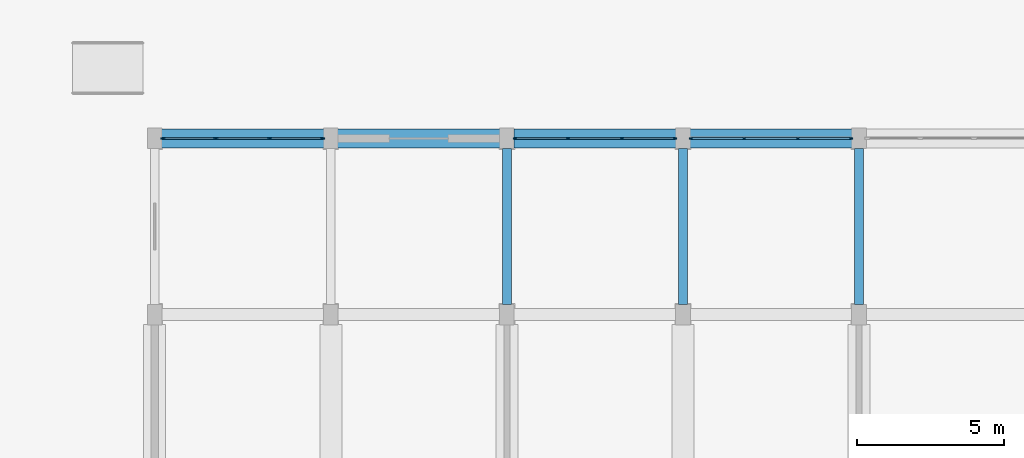
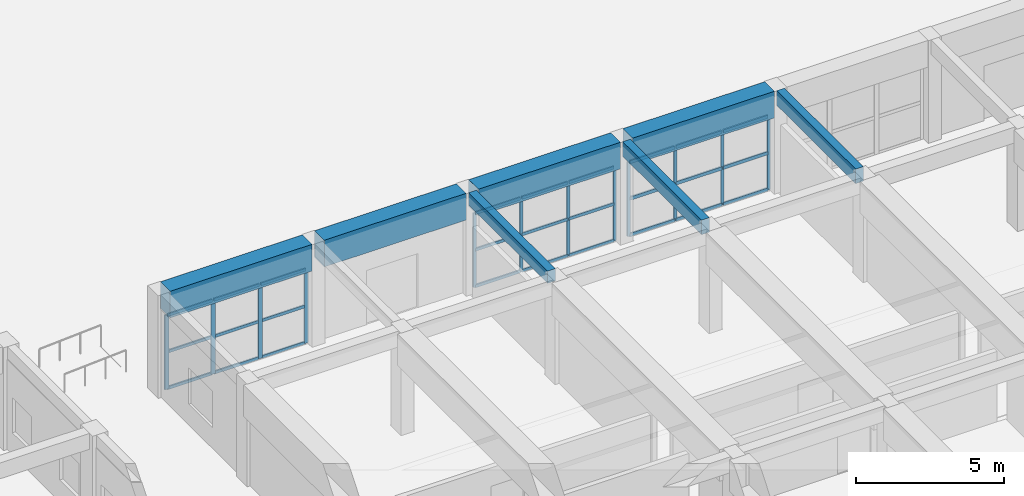
# One storey, part 34 of 76: 39 members, 7 beams, 3 elements without a shape of their own.
"""IFC4 building model written with IfcOpenShell, lengths in metres."""

import ifcopenshell
import ifcopenshell.guid

model = None  # the IFC model being written
_history = None  # IfcOwnerHistory: only IFC2X3 demands one
_inside = {}  # id of a spatial element -> (the spatial element, [elements in it])
_under = {}  # id of a project, library or spatial element -> (it, [spatial elements below it])
_declared = {}  # id of a project -> (the project, [libraries it declares])
_typed = {}  # id of a type object -> (the type object, [elements of that type])
_made_of = {}  # id of a material, layer set ... -> (it, [elements and type objects made of it])


def new_model(schema):
    """Start an empty IFC model of exactly this schema.

    Asked for "IFC4X3", IfcOpenShell would pick the latest addendum, in which some entities
    have other attributes; the version numbers below select the first issue.
    IFC2X3 requires an IfcOwnerHistory on every rooted entity: one is made here for all.
    """
    global model, _history
    if schema == "IFC4X3":
        model = ifcopenshell.file(schema_version=(4, 3, 0, 0))
    else:
        model = ifcopenshell.file(schema=schema)
    _inside.clear()
    _under.clear()
    _declared.clear()
    _typed.clear()
    _made_of.clear()
    _history = None
    if model.schema == "IFC2X3":
        org = make("IfcOrganization", Name="unknown")
        user = make(
            "IfcPersonAndOrganization",
            ThePerson=make("IfcPerson", FamilyName="unknown"),
            TheOrganization=org,
        )
        app = make(
            "IfcApplication",
            ApplicationDeveloper=org,
            Version="unknown",
            ApplicationFullName="unknown",
            ApplicationIdentifier="unknown",
        )
        _history = make(
            "IfcOwnerHistory",
            OwningUser=user,
            OwningApplication=app,
            ChangeAction="ADDED",
            CreationDate=0,
        )
    return model


def make(cls, **values):
    """One entity of the class cls with the attributes given. An attribute that is None is left unset."""
    return model.create_entity(
        cls, **{name: value for name, value in values.items() if value is not None}
    )


def rooted(cls, **values):
    """An entity with a GlobalId (a new one), such as an element, a storey or a relation."""
    return make(cls, GlobalId=ifcopenshell.guid.new(), OwnerHistory=_history, **values)


def si_unit(unit_type, name, prefix=None):
    """IfcSIUnit, for example si_unit("LENGTHUNIT", "METRE", prefix="MILLI")."""
    return make("IfcSIUnit", UnitType=unit_type, Prefix=prefix, Name=name)


def assignment(units):
    """IfcUnitAssignment: the units of a project."""
    return None if units is None else make("IfcUnitAssignment", Units=units)


def point(xyz):
    """IfcCartesianPoint."""
    return None if xyz is None else make("IfcCartesianPoint", Coordinates=xyz)


def direction(xyz):
    """IfcDirection."""
    return None if xyz is None else make("IfcDirection", DirectionRatios=xyz)


def frame(location, z_axis=None, x_axis=None):
    """IfcAxis2Placement3D, a coordinate frame: its origin and axes. An axis left out is left unset."""
    return make(
        "IfcAxis2Placement3D",
        Location=point(location),
        Axis=direction(z_axis),
        RefDirection=direction(x_axis),
    )


def frame_2d(location, x_axis=None):
    """IfcAxis2Placement2D, a coordinate frame in the plane: its origin and x axis."""
    return make(
        "IfcAxis2Placement2D", Location=point(location), RefDirection=direction(x_axis)
    )


def origin():
    """The frame at (0, 0, 0) with its axes left unset."""
    return frame((0.0, 0.0, 0.0))


def origin_2d():
    """The frame at (0, 0) in the plane with its x axis left unset."""
    return frame_2d((0.0, 0.0))


def place(relative_to, where):
    """IfcLocalPlacement: puts the frame where relative to a parent placement (None: the world)."""
    return make(
        "IfcLocalPlacement", PlacementRelTo=relative_to, RelativePlacement=where
    )


def context(
    kind, dimensions, precision=None, world=None, true_north=None, identifier=None
):
    """IfcGeometricRepresentationContext, for example the 3D "Model" context."""
    return make(
        "IfcGeometricRepresentationContext",
        ContextIdentifier=identifier,
        ContextType=kind,
        CoordinateSpaceDimension=dimensions,
        Precision=precision,
        WorldCoordinateSystem=world,
        TrueNorth=true_north,
    )


def subcontext(parent, identifier, kind, view, scale=None):
    """IfcGeometricRepresentationSubContext, for example "Body" below "Model"."""
    return make(
        "IfcGeometricRepresentationSubContext",
        ContextIdentifier=identifier,
        ContextType=kind,
        ParentContext=parent,
        TargetScale=scale,
        TargetView=view,
    )


def project(units=None, contexts=None):
    """IfcProject with its units and contexts."""
    return rooted(
        "IfcProject",
        Name="project",
        RepresentationContexts=contexts,
        UnitsInContext=assignment(units),
    )


def spatial(cls, under=None, at=None, **own):
    """A site, building, storey or space (cls), placed at a placement, below another one or the project."""
    s = rooted(cls, ObjectPlacement=at, **own)
    if under is not None:
        _under.setdefault(under.id(), (under, []))[1].append(s)
    return s


def profile(cls, at=None, kind="AREA", **sizes):
    """A parametric profile (cls). Its sizes go by their IFC names, for example OverallWidth=200.0."""
    return make(cls, ProfileType=kind, Position=at, **sizes)


def rectangle(**sizes):
    """IfcRectangleProfileDef."""
    return profile("IfcRectangleProfileDef", **sizes)


def extrude(swept, where, along, depth):
    """IfcExtrudedAreaSolid: the profile swept, set in the frame where, extruded along a direction by depth."""
    return make(
        "IfcExtrudedAreaSolid",
        SweptArea=swept,
        Position=where,
        ExtrudedDirection=direction(along),
        Depth=depth,
    )


def shape(context_of_items, identifier, shape_type, items):
    """IfcShapeRepresentation: the items that make up one representation, for example the "Body"."""
    return make(
        "IfcShapeRepresentation",
        ContextOfItems=context_of_items,
        RepresentationIdentifier=identifier,
        RepresentationType=shape_type,
        Items=items,
    )


def material(Name=None, Category=None):
    """IfcMaterial."""
    return make("IfcMaterial", Name=Name, Category=Category)


def layer(
    of_material, thickness, ventilated=None, Name=None, Category=None, Priority=None
):
    """IfcMaterialLayer: one layer of a wall or slab, of a material (None: an air gap)."""
    return make(
        "IfcMaterialLayer",
        Material=of_material,
        LayerThickness=thickness,
        IsVentilated=ventilated,
        Name=Name,
        Category=Category,
        Priority=Priority,
    )


def layer_set(layers, Name=None):
    """IfcMaterialLayerSet."""
    return make("IfcMaterialLayerSet", MaterialLayers=layers, LayerSetName=Name)


def material_profile(
    of_material, cross_section, Name=None, Category=None, Priority=None
):
    """IfcMaterialProfile: a cross section and its material."""
    return make(
        "IfcMaterialProfile",
        Name=Name,
        Material=of_material,
        Profile=cross_section,
        Priority=Priority,
        Category=Category,
    )


def profile_set(profiles, Name=None, composite=None):
    """IfcMaterialProfileSet."""
    return make(
        "IfcMaterialProfileSet",
        Name=Name,
        MaterialProfiles=profiles,
        CompositeProfile=composite,
    )


def made_of(thing, what):
    """Note that an element or type object is made of a material, layer set ...; save() writes the relation."""
    if what is not None:
        _made_of.setdefault(what.id(), (what, []))[1].append(thing)
    return thing


def type_object(cls, material=None, **own):
    """A type object (cls), such as IfcWallType, which elements share."""
    return made_of(rooted(cls, **own), material)


def element(
    cls,
    number,
    at=None,
    inside=None,
    cuts=None,
    type_object=None,
    material=None,
    context=None,
    identifier="Body",
    shape_type=None,
    held_by="IfcProductDefinitionShape",
    body=None,
    shapes=None,
    **own,
):
    """One element of the class cls, such as IfcWall. Its Tag is "e" and its number.

    at: its placement. inside: the storey or other place that contains it. cuts: it is an
    opening in that element (IfcRelVoidsElement). A single representation is given by context,
    identifier, shape_type and body (its items); several are given by shapes. held_by: the class
    of the entity that holds the representations. save() writes the other relations.
    """
    e = rooted(cls, Tag="e%d" % number, ObjectPlacement=at, **own)
    if body is not None:
        shapes = [shape(context, identifier, shape_type, body)]
    if shapes is not None:
        e.Representation = make(held_by, Representations=shapes)
    if inside is not None:
        _inside.setdefault(inside.id(), (inside, []))[1].append(e)
    if cuts is not None:
        rooted(
            "IfcRelVoidsElement", RelatingBuildingElement=cuts, RelatedOpeningElement=e
        )
    if type_object is not None:
        _typed.setdefault(type_object.id(), (type_object, []))[1].append(e)
    return made_of(e, material)


def aggregate(whole, parts):
    """IfcRelAggregates: a whole, such as a stair, and the parts it consists of."""
    return rooted("IfcRelAggregates", RelatingObject=whole, RelatedObjects=parts)


def save(model, path):
    """Write the relations noted so far, then the file.

    IfcRelAggregates (storeys below a building ...), IfcRelContainedInSpatialStructure (elements
    in a storey), IfcRelDefinesByType, IfcRelAssociatesMaterial and IfcRelDeclares: one each for
    every whole, place, type object, material and project.
    """
    for whole, parts in _under.values():
        aggregate(whole, parts)
    for where, things in _inside.values():
        rooted(
            "IfcRelContainedInSpatialStructure",
            RelatedElements=things,
            RelatingStructure=where,
        )
    for kind, things in _typed.values():
        rooted("IfcRelDefinesByType", RelatedObjects=things, RelatingType=kind)
    for what, things in _made_of.values():
        rooted("IfcRelAssociatesMaterial", RelatedObjects=things, RelatingMaterial=what)
    for by, libraries in _declared.values():
        rooted("IfcRelDeclares", RelatingContext=by, RelatedDefinitions=libraries)
    model.write(path)


model = new_model("IFC4")

# Units and contexts
model_context = context("Model", 3, precision=1e-05, world=origin(), true_north=direction((0.0, 1.0)))
body_context = subcontext(model_context, "Body", "Model", "MODEL_VIEW")
ifc_project = project(units=[si_unit("LENGTHUNIT", "METRE"), si_unit("AREAUNIT", "SQUARE_METRE"), si_unit("VOLUMEUNIT", "CUBIC_METRE"), si_unit("PLANEANGLEUNIT", "RADIAN"), si_unit("MASSUNIT", "GRAM", prefix="KILO"), si_unit("POWERUNIT", "WATT"), si_unit("THERMODYNAMICTEMPERATUREUNIT", "KELVIN")], contexts=[model_context])

# Site, building, storey
site_placement = place(None, origin())
site = spatial("IfcSite", under=ifc_project, at=site_placement, CompositionType="ELEMENT")
building_placement = place(site_placement, origin())
building = spatial("IfcBuilding", under=site, at=building_placement, Name="Ruvembo Vaulted Housing Court", CompositionType="ELEMENT")
storey_placement = place(building_placement, origin())
storey = spatial("IfcBuildingStorey", under=building, at=storey_placement, Name="L00", CompositionType="ELEMENT", Elevation=0.0)

# Beams
ifc_material_1 = material(Name="Concrete C35/45", Category="concrete")
ifc_material_profile_1 = material_profile(ifc_material_1, rectangle(XDim=0.300048828125, YDim=0.60009765625, at=origin_2d()), Name="RC 300x600")
ifc_profile_set_1 = profile_set([ifc_material_profile_1], Name="Concrete C35/45")
beam_type_1 = type_object("IfcBeamType", Name="BM-RC-300x600", PredefinedType="BEAM", material=ifc_profile_set_1)
for number, where, z_axis, x_axis, name in (
    (1, (162.0, 30.3349609375, 3.929931640625), (0.0, 1.0, 0.0), (-1.0, 0.0, 0.0), "L00 Grid Beam Y #1096"),
    (2, (168.0, 30.3349609375, 3.929931640625), (0.0, 1.0, 0.0), (-1.0, 0.0, 0.0), "L00 Grid Beam Y #1103"),
):
    element("IfcBeam", number, at=place(storey_placement, frame(where, z_axis=z_axis, x_axis=x_axis)), inside=storey, type_object=beam_type_1, Name=name, PredefinedType="BEAM", context=body_context, shape_type="SweptSolid", body=[
        extrude(rectangle(XDim=0.300048828125, YDim=0.60009765625, at=origin_2d()), origin(), (0.0, 0.0, 1.0), 5.330078125),
    ])

# Curtain wall, members
ifc_material_2 = material(Name="Anodised Aluminium and Solar-Control Glass", Category="aluminium")
ifc_layer = layer(ifc_material_2, 0.159912109375, Name="Anodised Aluminium and Solar-Control Glass")
ifc_layer_set = layer_set([ifc_layer], Name="Anodised Aluminium and Solar-Control Glass")
curtain_wall_type = type_object("IfcCurtainWallType", Name="CW-SHOPFRONT-S", PredefinedType="NOTDEFINED", material=ifc_layer_set)
curtain_wall_1_placement = place(storey_placement, origin())
curtain_wall_1 = element("IfcCurtainWall", 3, at=curtain_wall_1_placement, inside=storey, type_object=curtain_wall_type, Name="L00 Curtain Wall CW-L00-0147", PredefinedType="NOTDEFINED")
ifc_material_3 = material(Name="Anodised Aluminium 6063-T6", Category="aluminium")
ifc_material_profile_2 = material_profile(ifc_material_3, rectangle(XDim=0.054931640625, YDim=0.1201171875, at=origin_2d()), Name="ALU 55x120")
ifc_profile_set_2 = profile_set([ifc_material_profile_2], Name="Anodised Aluminium 6063-T6")
member_type_1 = type_object("IfcMemberType", Name="CW-MUL-55x120", PredefinedType="MULLION", material=ifc_profile_set_2)
member_1_placement = place(storey_placement, frame((156.277587890625, 36.0, 0.0), z_axis=(0.0, 0.0, 1.0), x_axis=(0.0, 1.0, 0.0)))
member_1 = element("IfcMember", 4, at=member_1_placement, type_object=member_type_1, Name="CW3 mullion 1", PredefinedType="MULLION", context=body_context, shape_type="SweptSolid", body=[
    extrude(rectangle(XDim=0.054931640625, YDim=0.1201171875, at=origin_2d()), origin(), (0.0, 0.0, 1.0), 3.06201171875),
])
member_2_placement = place(storey_placement, frame((158.083251953125, 36.0, 0.0), z_axis=(0.0, 0.0, 1.0), x_axis=(0.0, 1.0, 0.0)))
member_2 = element("IfcMember", 5, at=member_2_placement, type_object=member_type_1, Name="CW3 mullion 2", PredefinedType="MULLION", context=body_context, shape_type="SweptSolid", body=[
    extrude(rectangle(XDim=0.054931640625, YDim=0.1201171875, at=origin_2d()), origin(), (0.0, 0.0, 1.0), 3.06201171875),
])
member_3_placement = place(storey_placement, frame((159.916748046875, 36.0, 0.0), z_axis=(0.0, 0.0, 1.0), x_axis=(0.0, 1.0, 0.0)))
member_3 = element("IfcMember", 6, at=member_3_placement, type_object=member_type_1, Name="CW3 mullion 3", PredefinedType="MULLION", context=body_context, shape_type="SweptSolid", body=[
    extrude(rectangle(XDim=0.054931640625, YDim=0.1201171875, at=origin_2d()), origin(), (0.0, 0.0, 1.0), 3.06201171875),
])
member_4_placement = place(storey_placement, frame((161.722412109375, 36.0, 0.0), z_axis=(0.0, 0.0, 1.0), x_axis=(0.0, 1.0, 0.0)))
member_4 = element("IfcMember", 7, at=member_4_placement, type_object=member_type_1, Name="CW3 mullion 4", PredefinedType="MULLION", context=body_context, shape_type="SweptSolid", body=[
    extrude(rectangle(XDim=0.054931640625, YDim=0.1201171875, at=origin_2d()), origin(), (0.0, 0.0, 1.0), 3.06201171875),
])

curtain_wall_2_placement = place(storey_placement, origin())
curtain_wall_2 = element("IfcCurtainWall", 8, at=curtain_wall_2_placement, inside=storey, type_object=curtain_wall_type, Name="L00 Curtain Wall CW-L00-0151", PredefinedType="NOTDEFINED")
member_5_placement = place(storey_placement, frame((162.277587890625, 36.0, 0.0), z_axis=(0.0, 0.0, 1.0), x_axis=(0.0, 1.0, 0.0)))
member_5 = element("IfcMember", 9, at=member_5_placement, type_object=member_type_1, Name="CW3 mullion 1", PredefinedType="MULLION", context=body_context, shape_type="SweptSolid", body=[
    extrude(rectangle(XDim=0.054931640625, YDim=0.1201171875, at=origin_2d()), origin(), (0.0, 0.0, 1.0), 3.06201171875),
])
member_6_placement = place(storey_placement, frame((164.083251953125, 36.0, 0.0), z_axis=(0.0, 0.0, 1.0), x_axis=(0.0, 1.0, 0.0)))
member_6 = element("IfcMember", 10, at=member_6_placement, type_object=member_type_1, Name="CW3 mullion 2", PredefinedType="MULLION", context=body_context, shape_type="SweptSolid", body=[
    extrude(rectangle(XDim=0.054931640625, YDim=0.1201171875, at=origin_2d()), origin(), (0.0, 0.0, 1.0), 3.06201171875),
])
member_7_placement = place(storey_placement, frame((165.916748046875, 36.0, 0.0), z_axis=(0.0, 0.0, 1.0), x_axis=(0.0, 1.0, 0.0)))
member_7 = element("IfcMember", 11, at=member_7_placement, type_object=member_type_1, Name="CW3 mullion 3", PredefinedType="MULLION", context=body_context, shape_type="SweptSolid", body=[
    extrude(rectangle(XDim=0.054931640625, YDim=0.1201171875, at=origin_2d()), origin(), (0.0, 0.0, 1.0), 3.06201171875),
])
member_8_placement = place(storey_placement, frame((167.722412109375, 36.0, 0.0), z_axis=(0.0, 0.0, 1.0), x_axis=(0.0, 1.0, 0.0)))
member_8 = element("IfcMember", 12, at=member_8_placement, type_object=member_type_1, Name="CW3 mullion 4", PredefinedType="MULLION", context=body_context, shape_type="SweptSolid", body=[
    extrude(rectangle(XDim=0.054931640625, YDim=0.1201171875, at=origin_2d()), origin(), (0.0, 0.0, 1.0), 3.06201171875),
])

curtain_wall_3_placement = place(storey_placement, origin())
curtain_wall_3 = element("IfcCurtainWall", 13, at=curtain_wall_3_placement, inside=storey, type_object=curtain_wall_type, Name="L00 Curtain Wall CW-L00-0141", PredefinedType="NOTDEFINED")
ifc_material_profile_3 = material_profile(ifc_material_3, rectangle(XDim=0.06005859375, YDim=0.159912109375, at=origin_2d()), Name="ALU 60x160")
ifc_profile_set_3 = profile_set([ifc_material_profile_3], Name="Anodised Aluminium 6063-T6")
member_type_2 = type_object("IfcMemberType", Name="CW-MULLION-65x150", PredefinedType="MULLION", material=ifc_profile_set_3)
member_9_placement = place(storey_placement, frame((144.280029296875, 36.0, 0.0), z_axis=(0.0, 0.0, 1.0), x_axis=(0.0, 1.0, 0.0)))
member_9 = element("IfcMember", 14, at=member_9_placement, type_object=member_type_2, Name="CW3 mullion 1", PredefinedType="MULLION", context=body_context, shape_type="SweptSolid", body=[
    extrude(rectangle(XDim=0.06005859375, YDim=0.159912109375, at=origin_2d()), origin(), (0.0, 0.0, 1.0), 3.06201171875),
])
member_10_placement = place(storey_placement, frame((146.083251953125, 36.0, 0.0), z_axis=(0.0, 0.0, 1.0), x_axis=(0.0, 1.0, 0.0)))
member_10 = element("IfcMember", 15, at=member_10_placement, type_object=member_type_2, Name="CW3 mullion 2", PredefinedType="MULLION", context=body_context, shape_type="SweptSolid", body=[
    extrude(rectangle(XDim=0.06005859375, YDim=0.159912109375, at=origin_2d()), origin(), (0.0, 0.0, 1.0), 3.06201171875),
])
member_11_placement = place(storey_placement, frame((147.916748046875, 36.0, 0.0), z_axis=(0.0, 0.0, 1.0), x_axis=(0.0, 1.0, 0.0)))
member_11 = element("IfcMember", 16, at=member_11_placement, type_object=member_type_2, Name="CW3 mullion 3", PredefinedType="MULLION", context=body_context, shape_type="SweptSolid", body=[
    extrude(rectangle(XDim=0.06005859375, YDim=0.159912109375, at=origin_2d()), origin(), (0.0, 0.0, 1.0), 3.06201171875),
])
member_12_placement = place(storey_placement, frame((149.719970703125, 36.0, 0.0), z_axis=(0.0, 0.0, 1.0), x_axis=(0.0, 1.0, 0.0)))
member_12 = element("IfcMember", 17, at=member_12_placement, type_object=member_type_2, Name="CW3 mullion 4", PredefinedType="MULLION", context=body_context, shape_type="SweptSolid", body=[
    extrude(rectangle(XDim=0.06005859375, YDim=0.159912109375, at=origin_2d()), origin(), (0.0, 0.0, 1.0), 3.06201171875),
])
ifc_material_profile_4 = material_profile(ifc_material_3, rectangle(XDim=0.06005859375, YDim=0.1201171875, at=origin_2d()), Name="ALU 60x120")
ifc_profile_set_4 = profile_set([ifc_material_profile_4], Name="Anodised Aluminium 6063-T6")
member_type_3 = type_object("IfcMemberType", Name="CW-TRANSOM-65x120", PredefinedType="USERDEFINED", material=ifc_profile_set_4)
member_13_placement = place(storey_placement, frame((144.31005859375, 36.0, 0.030029296875), z_axis=(1.0, 0.0, 0.0), x_axis=(0.0, 1.0, 0.0)))
member_13 = element("IfcMember", 18, at=member_13_placement, type_object=member_type_3, Name="CW3 transom 1.1", ObjectType="TRANSOM", PredefinedType="USERDEFINED", context=body_context, shape_type="SweptSolid", body=[
    extrude(rectangle(XDim=0.06005859375, YDim=0.1201171875, at=origin_2d()), origin(), (0.0, 0.0, 1.0), 1.7431640625),
])
member_14_placement = place(storey_placement, frame((144.31005859375, 36.0, 1.531005859375), z_axis=(1.0, 0.0, 0.0), x_axis=(0.0, 1.0, 0.0)))
member_14 = element("IfcMember", 19, at=member_14_placement, type_object=member_type_3, Name="CW3 transom 1.2", ObjectType="TRANSOM", PredefinedType="USERDEFINED", context=body_context, shape_type="SweptSolid", body=[
    extrude(rectangle(XDim=0.06005859375, YDim=0.1201171875, at=origin_2d()), origin(), (0.0, 0.0, 1.0), 1.7431640625),
])
member_15_placement = place(storey_placement, frame((144.31005859375, 36.0, 3.031982421875), z_axis=(1.0, 0.0, 0.0), x_axis=(0.0, 1.0, 0.0)))
member_15 = element("IfcMember", 20, at=member_15_placement, type_object=member_type_3, Name="CW3 transom 1.3", ObjectType="TRANSOM", PredefinedType="USERDEFINED", context=body_context, shape_type="SweptSolid", body=[
    extrude(rectangle(XDim=0.06005859375, YDim=0.1201171875, at=origin_2d()), origin(), (0.0, 0.0, 1.0), 1.7431640625),
])
member_16_placement = place(storey_placement, frame((146.11328125, 36.0, 0.030029296875), z_axis=(1.0, 0.0, 0.0), x_axis=(0.0, 1.0, 0.0)))
member_16 = element("IfcMember", 21, at=member_16_placement, type_object=member_type_3, Name="CW3 transom 2.1", ObjectType="TRANSOM", PredefinedType="USERDEFINED", context=body_context, shape_type="SweptSolid", body=[
    extrude(rectangle(XDim=0.06005859375, YDim=0.1201171875, at=origin_2d()), origin(), (0.0, 0.0, 1.0), 1.7734375),
])
member_17_placement = place(storey_placement, frame((146.11328125, 36.0, 1.531005859375), z_axis=(1.0, 0.0, 0.0), x_axis=(0.0, 1.0, 0.0)))
member_17 = element("IfcMember", 22, at=member_17_placement, type_object=member_type_3, Name="CW3 transom 2.2", ObjectType="TRANSOM", PredefinedType="USERDEFINED", context=body_context, shape_type="SweptSolid", body=[
    extrude(rectangle(XDim=0.06005859375, YDim=0.1201171875, at=origin_2d()), origin(), (0.0, 0.0, 1.0), 1.7734375),
])
member_18_placement = place(storey_placement, frame((146.11328125, 36.0, 3.031982421875), z_axis=(1.0, 0.0, 0.0), x_axis=(0.0, 1.0, 0.0)))
member_18 = element("IfcMember", 23, at=member_18_placement, type_object=member_type_3, Name="CW3 transom 2.3", ObjectType="TRANSOM", PredefinedType="USERDEFINED", context=body_context, shape_type="SweptSolid", body=[
    extrude(rectangle(XDim=0.06005859375, YDim=0.1201171875, at=origin_2d()), origin(), (0.0, 0.0, 1.0), 1.7734375),
])
member_19_placement = place(storey_placement, frame((147.94677734375, 36.0, 0.030029296875), z_axis=(1.0, 0.0, 0.0), x_axis=(0.0, 1.0, 0.0)))
member_19 = element("IfcMember", 24, at=member_19_placement, type_object=member_type_3, Name="CW3 transom 3.1", ObjectType="TRANSOM", PredefinedType="USERDEFINED", context=body_context, shape_type="SweptSolid", body=[
    extrude(rectangle(XDim=0.06005859375, YDim=0.1201171875, at=origin_2d()), origin(), (0.0, 0.0, 1.0), 1.7431640625),
])
member_20_placement = place(storey_placement, frame((147.94677734375, 36.0, 1.531005859375), z_axis=(1.0, 0.0, 0.0), x_axis=(0.0, 1.0, 0.0)))
member_20 = element("IfcMember", 25, at=member_20_placement, type_object=member_type_3, Name="CW3 transom 3.2", ObjectType="TRANSOM", PredefinedType="USERDEFINED", context=body_context, shape_type="SweptSolid", body=[
    extrude(rectangle(XDim=0.06005859375, YDim=0.1201171875, at=origin_2d()), origin(), (0.0, 0.0, 1.0), 1.7431640625),
])
member_21_placement = place(storey_placement, frame((147.94677734375, 36.0, 3.031982421875), z_axis=(1.0, 0.0, 0.0), x_axis=(0.0, 1.0, 0.0)))
member_21 = element("IfcMember", 26, at=member_21_placement, type_object=member_type_3, Name="CW3 transom 3.3", ObjectType="TRANSOM", PredefinedType="USERDEFINED", context=body_context, shape_type="SweptSolid", body=[
    extrude(rectangle(XDim=0.06005859375, YDim=0.1201171875, at=origin_2d()), origin(), (0.0, 0.0, 1.0), 1.7431640625),
])
aggregate(curtain_wall_3, [member_9, member_10, member_11, member_12, member_13, member_14, member_15, member_16, member_17, member_18, member_19, member_20, member_21])

# Member
member_22_placement = place(storey_placement, frame((156.304931640625, 36.0, 0.030029296875), z_axis=(1.0, 0.0, 0.0), x_axis=(0.0, 1.0, 0.0)))
member_22 = element("IfcMember", 27, at=member_22_placement, type_object=member_type_3, Name="CW3 transom 1.1", ObjectType="TRANSOM", PredefinedType="USERDEFINED", context=body_context, shape_type="SweptSolid", body=[
    extrude(rectangle(XDim=0.06005859375, YDim=0.1201171875, at=origin_2d()), origin(), (0.0, 0.0, 1.0), 1.7509765625),
])

member_23_placement = place(storey_placement, frame((156.304931640625, 36.0, 1.531005859375), z_axis=(1.0, 0.0, 0.0), x_axis=(0.0, 1.0, 0.0)))
member_23 = element("IfcMember", 28, at=member_23_placement, type_object=member_type_3, Name="CW3 transom 1.2", ObjectType="TRANSOM", PredefinedType="USERDEFINED", context=body_context, shape_type="SweptSolid", body=[
    extrude(rectangle(XDim=0.06005859375, YDim=0.1201171875, at=origin_2d()), origin(), (0.0, 0.0, 1.0), 1.7509765625),
])

member_24_placement = place(storey_placement, frame((156.304931640625, 36.0, 3.031982421875), z_axis=(1.0, 0.0, 0.0), x_axis=(0.0, 1.0, 0.0)))
member_24 = element("IfcMember", 29, at=member_24_placement, type_object=member_type_3, Name="CW3 transom 1.3", ObjectType="TRANSOM", PredefinedType="USERDEFINED", context=body_context, shape_type="SweptSolid", body=[
    extrude(rectangle(XDim=0.06005859375, YDim=0.1201171875, at=origin_2d()), origin(), (0.0, 0.0, 1.0), 1.7509765625),
])

member_25_placement = place(storey_placement, frame((158.11083984375, 36.0, 0.030029296875), z_axis=(1.0, 0.0, 0.0), x_axis=(0.0, 1.0, 0.0)))
member_25 = element("IfcMember", 30, at=member_25_placement, type_object=member_type_3, Name="CW3 transom 2.1", ObjectType="TRANSOM", PredefinedType="USERDEFINED", context=body_context, shape_type="SweptSolid", body=[
    extrude(rectangle(XDim=0.06005859375, YDim=0.1201171875, at=origin_2d()), origin(), (0.0, 0.0, 1.0), 1.7783203125),
])

member_26_placement = place(storey_placement, frame((158.11083984375, 36.0, 1.531005859375), z_axis=(1.0, 0.0, 0.0), x_axis=(0.0, 1.0, 0.0)))
member_26 = element("IfcMember", 31, at=member_26_placement, type_object=member_type_3, Name="CW3 transom 2.2", ObjectType="TRANSOM", PredefinedType="USERDEFINED", context=body_context, shape_type="SweptSolid", body=[
    extrude(rectangle(XDim=0.06005859375, YDim=0.1201171875, at=origin_2d()), origin(), (0.0, 0.0, 1.0), 1.7783203125),
])

member_27_placement = place(storey_placement, frame((158.11083984375, 36.0, 3.031982421875), z_axis=(1.0, 0.0, 0.0), x_axis=(0.0, 1.0, 0.0)))
member_27 = element("IfcMember", 32, at=member_27_placement, type_object=member_type_3, Name="CW3 transom 2.3", ObjectType="TRANSOM", PredefinedType="USERDEFINED", context=body_context, shape_type="SweptSolid", body=[
    extrude(rectangle(XDim=0.06005859375, YDim=0.1201171875, at=origin_2d()), origin(), (0.0, 0.0, 1.0), 1.7783203125),
])

member_28_placement = place(storey_placement, frame((159.944091796875, 36.0, 0.030029296875), z_axis=(1.0, 0.0, 0.0), x_axis=(0.0, 1.0, 0.0)))
member_28 = element("IfcMember", 33, at=member_28_placement, type_object=member_type_3, Name="CW3 transom 3.1", ObjectType="TRANSOM", PredefinedType="USERDEFINED", context=body_context, shape_type="SweptSolid", body=[
    extrude(rectangle(XDim=0.06005859375, YDim=0.1201171875, at=origin_2d()), origin(), (0.0, 0.0, 1.0), 1.7509765625),
])

member_29_placement = place(storey_placement, frame((159.944091796875, 36.0, 1.531005859375), z_axis=(1.0, 0.0, 0.0), x_axis=(0.0, 1.0, 0.0)))
member_29 = element("IfcMember", 34, at=member_29_placement, type_object=member_type_3, Name="CW3 transom 3.2", ObjectType="TRANSOM", PredefinedType="USERDEFINED", context=body_context, shape_type="SweptSolid", body=[
    extrude(rectangle(XDim=0.06005859375, YDim=0.1201171875, at=origin_2d()), origin(), (0.0, 0.0, 1.0), 1.7509765625),
])

member_30_placement = place(storey_placement, frame((159.944091796875, 36.0, 3.031982421875), z_axis=(1.0, 0.0, 0.0), x_axis=(0.0, 1.0, 0.0)))
member_30 = element("IfcMember", 35, at=member_30_placement, type_object=member_type_3, Name="CW3 transom 3.3", ObjectType="TRANSOM", PredefinedType="USERDEFINED", context=body_context, shape_type="SweptSolid", body=[
    extrude(rectangle(XDim=0.06005859375, YDim=0.1201171875, at=origin_2d()), origin(), (0.0, 0.0, 1.0), 1.7509765625),
])

aggregate(curtain_wall_1, [member_1, member_2, member_3, member_4, member_22, member_23, member_24, member_25, member_26, member_27, member_28, member_29, member_30])

ifc_material_profile_5 = material_profile(ifc_material_3, rectangle(XDim=0.06494140625, YDim=0.135009765625, at=origin_2d()), Name="ALU 65x135")
ifc_profile_set_5 = profile_set([ifc_material_profile_5], Name="Anodised Aluminium 6063-T6")
member_type_4 = type_object("IfcMemberType", Name="CW-TRN-65x135", PredefinedType="USERDEFINED", material=ifc_profile_set_5)
member_31_placement = place(storey_placement, frame((162.304931640625, 36.0, 0.032470703125), z_axis=(1.0, 0.0, 0.0), x_axis=(0.0, 1.0, 0.0)))
member_31 = element("IfcMember", 36, at=member_31_placement, type_object=member_type_4, Name="CW3 transom 1.1", ObjectType="TRANSOM", PredefinedType="USERDEFINED", context=body_context, shape_type="SweptSolid", body=[
    extrude(rectangle(XDim=0.06494140625, YDim=0.135009765625, at=origin_2d()), origin(), (0.0, 0.0, 1.0), 1.7509765625),
])

member_32_placement = place(storey_placement, frame((162.304931640625, 36.0, 1.531005859375), z_axis=(1.0, 0.0, 0.0), x_axis=(0.0, 1.0, 0.0)))
member_32 = element("IfcMember", 37, at=member_32_placement, type_object=member_type_4, Name="CW3 transom 1.2", ObjectType="TRANSOM", PredefinedType="USERDEFINED", context=body_context, shape_type="SweptSolid", body=[
    extrude(rectangle(XDim=0.06494140625, YDim=0.135009765625, at=origin_2d()), origin(), (0.0, 0.0, 1.0), 1.7509765625),
])

member_33_placement = place(storey_placement, frame((162.304931640625, 36.0, 3.029541015625), z_axis=(1.0, 0.0, 0.0), x_axis=(0.0, 1.0, 0.0)))
member_33 = element("IfcMember", 38, at=member_33_placement, type_object=member_type_4, Name="CW3 transom 1.3", ObjectType="TRANSOM", PredefinedType="USERDEFINED", context=body_context, shape_type="SweptSolid", body=[
    extrude(rectangle(XDim=0.06494140625, YDim=0.135009765625, at=origin_2d()), origin(), (0.0, 0.0, 1.0), 1.7509765625),
])

member_34_placement = place(storey_placement, frame((164.11083984375, 36.0, 0.032470703125), z_axis=(1.0, 0.0, 0.0), x_axis=(0.0, 1.0, 0.0)))
member_34 = element("IfcMember", 39, at=member_34_placement, type_object=member_type_4, Name="CW3 transom 2.1", ObjectType="TRANSOM", PredefinedType="USERDEFINED", context=body_context, shape_type="SweptSolid", body=[
    extrude(rectangle(XDim=0.06494140625, YDim=0.135009765625, at=origin_2d()), origin(), (0.0, 0.0, 1.0), 1.7783203125),
])

member_35_placement = place(storey_placement, frame((164.11083984375, 36.0, 1.531005859375), z_axis=(1.0, 0.0, 0.0), x_axis=(0.0, 1.0, 0.0)))
member_35 = element("IfcMember", 40, at=member_35_placement, type_object=member_type_4, Name="CW3 transom 2.2", ObjectType="TRANSOM", PredefinedType="USERDEFINED", context=body_context, shape_type="SweptSolid", body=[
    extrude(rectangle(XDim=0.06494140625, YDim=0.135009765625, at=origin_2d()), origin(), (0.0, 0.0, 1.0), 1.7783203125),
])

member_36_placement = place(storey_placement, frame((164.11083984375, 36.0, 3.029541015625), z_axis=(1.0, 0.0, 0.0), x_axis=(0.0, 1.0, 0.0)))
member_36 = element("IfcMember", 41, at=member_36_placement, type_object=member_type_4, Name="CW3 transom 2.3", ObjectType="TRANSOM", PredefinedType="USERDEFINED", context=body_context, shape_type="SweptSolid", body=[
    extrude(rectangle(XDim=0.06494140625, YDim=0.135009765625, at=origin_2d()), origin(), (0.0, 0.0, 1.0), 1.7783203125),
])

member_37_placement = place(storey_placement, frame((165.944091796875, 36.0, 0.032470703125), z_axis=(1.0, 0.0, 0.0), x_axis=(0.0, 1.0, 0.0)))
member_37 = element("IfcMember", 42, at=member_37_placement, type_object=member_type_4, Name="CW3 transom 3.1", ObjectType="TRANSOM", PredefinedType="USERDEFINED", context=body_context, shape_type="SweptSolid", body=[
    extrude(rectangle(XDim=0.06494140625, YDim=0.135009765625, at=origin_2d()), origin(), (0.0, 0.0, 1.0), 1.7509765625),
])

member_38_placement = place(storey_placement, frame((165.944091796875, 36.0, 1.531005859375), z_axis=(1.0, 0.0, 0.0), x_axis=(0.0, 1.0, 0.0)))
member_38 = element("IfcMember", 43, at=member_38_placement, type_object=member_type_4, Name="CW3 transom 3.2", ObjectType="TRANSOM", PredefinedType="USERDEFINED", context=body_context, shape_type="SweptSolid", body=[
    extrude(rectangle(XDim=0.06494140625, YDim=0.135009765625, at=origin_2d()), origin(), (0.0, 0.0, 1.0), 1.7509765625),
])

member_39_placement = place(storey_placement, frame((165.944091796875, 36.0, 3.029541015625), z_axis=(1.0, 0.0, 0.0), x_axis=(0.0, 1.0, 0.0)))
member_39 = element("IfcMember", 44, at=member_39_placement, type_object=member_type_4, Name="CW3 transom 3.3", ObjectType="TRANSOM", PredefinedType="USERDEFINED", context=body_context, shape_type="SweptSolid", body=[
    extrude(rectangle(XDim=0.06494140625, YDim=0.135009765625, at=origin_2d()), origin(), (0.0, 0.0, 1.0), 1.7509765625),
])

aggregate(curtain_wall_2, [member_5, member_6, member_7, member_8, member_31, member_32, member_33, member_34, member_35, member_36, member_37, member_38, member_39])

# Beams
ifc_material_profile_6 = material_profile(ifc_material_1, rectangle(XDim=0.300048828125, YDim=0.5, at=origin_2d()), Name="RC 300x500")
ifc_profile_set_6 = profile_set([ifc_material_profile_6], Name="Concrete C35/45")
beam_type_2 = type_object("IfcBeamType", Name="SP-RC-300x500", PredefinedType="SPANDREL", material=ifc_profile_set_6)
beam_placement = place(storey_placement, frame((156.0, 30.3349609375, 3.97998046875), z_axis=(0.0, 1.0, 0.0), x_axis=(-1.0, 0.0, 0.0)))
element("IfcBeam", 45, at=beam_placement, inside=storey, type_object=beam_type_2, Name="L00 Grid Beam Y #1087", PredefinedType="SPANDREL", context=body_context, shape_type="SweptSolid", body=[
    extrude(rectangle(XDim=0.300048828125, YDim=0.5, at=origin_2d()), origin(), (0.0, 0.0, 1.0), 5.330078125),
])
ifc_material_4 = material(Name="Concrete C40/50", Category="concrete")
ifc_material_profile_7 = material_profile(ifc_material_4, rectangle(XDim=0.64990234375, YDim=1.10009765625, at=origin_2d()), Name="RC 650x1100")
ifc_profile_set_7 = profile_set([ifc_material_profile_7], Name="Concrete C40/50")
beam_type_3 = type_object("IfcBeamType", Name="TB-RC-650x1100", PredefinedType="BEAM", material=ifc_profile_set_7)
for number, where, z_axis, x_axis, name in (
    (46, (144.235107421875, 36.0, 3.679931640625), (1.0, 0.0, 0.0), (0.0, 1.0, 0.0), "L00 Grid Beam X #823"),
    (47, (150.235107421875, 36.0, 3.679931640625), (1.0, 0.0, 0.0), (0.0, 1.0, 0.0), "L00 Grid Beam X #824"),
    (48, (156.235107421875, 36.0, 3.679931640625), (1.0, 0.0, 0.0), (0.0, 1.0, 0.0), "L00 Grid Beam X #825"),
    (49, (162.235107421875, 36.0, 3.679931640625), (1.0, 0.0, 0.0), (0.0, 1.0, 0.0), "L00 Grid Beam X #826"),
):
    element("IfcBeam", number, at=place(storey_placement, frame(where, z_axis=z_axis, x_axis=x_axis)), inside=storey, type_object=beam_type_3, Name=name, PredefinedType="BEAM", context=body_context, shape_type="SweptSolid", body=[
        extrude(rectangle(XDim=0.64990234375, YDim=1.10009765625, at=origin_2d()), origin(), (0.0, 0.0, 1.0), 5.52978515625),
    ])

save(model, "model.ifc")
